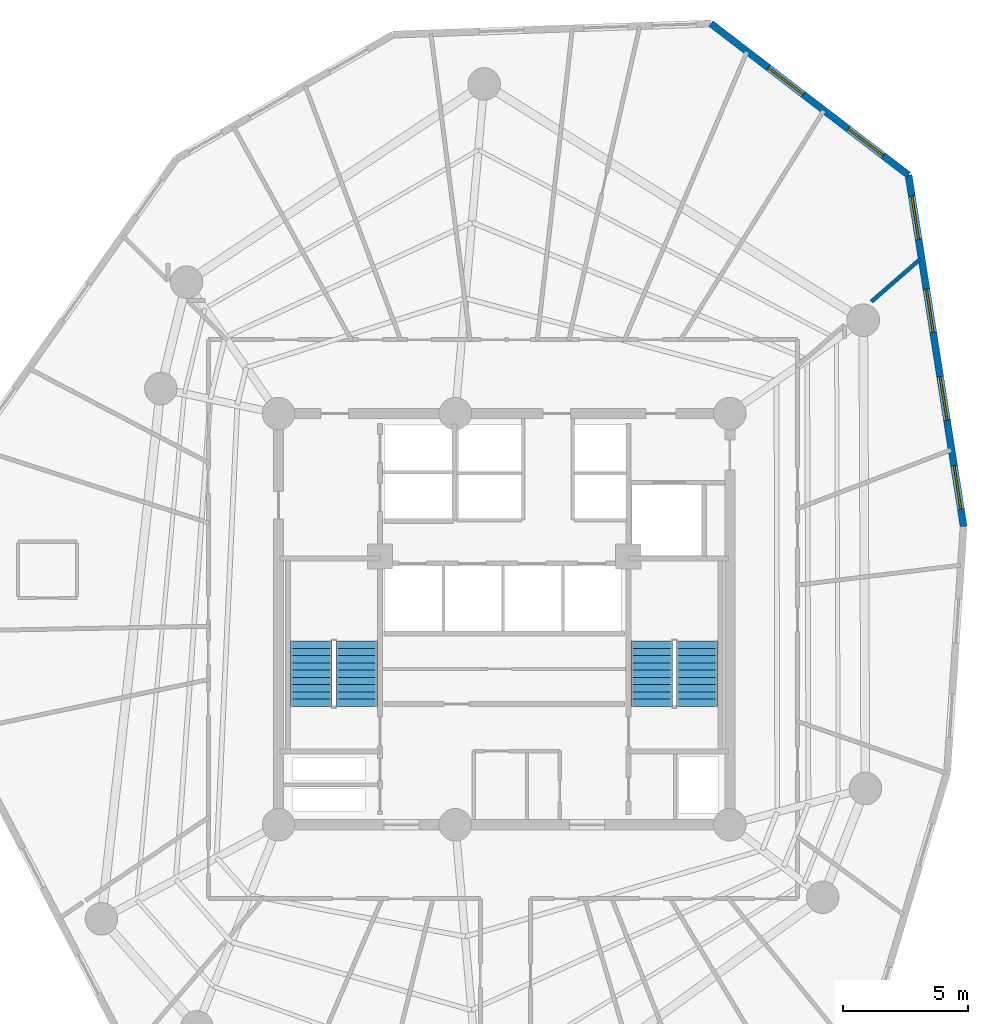
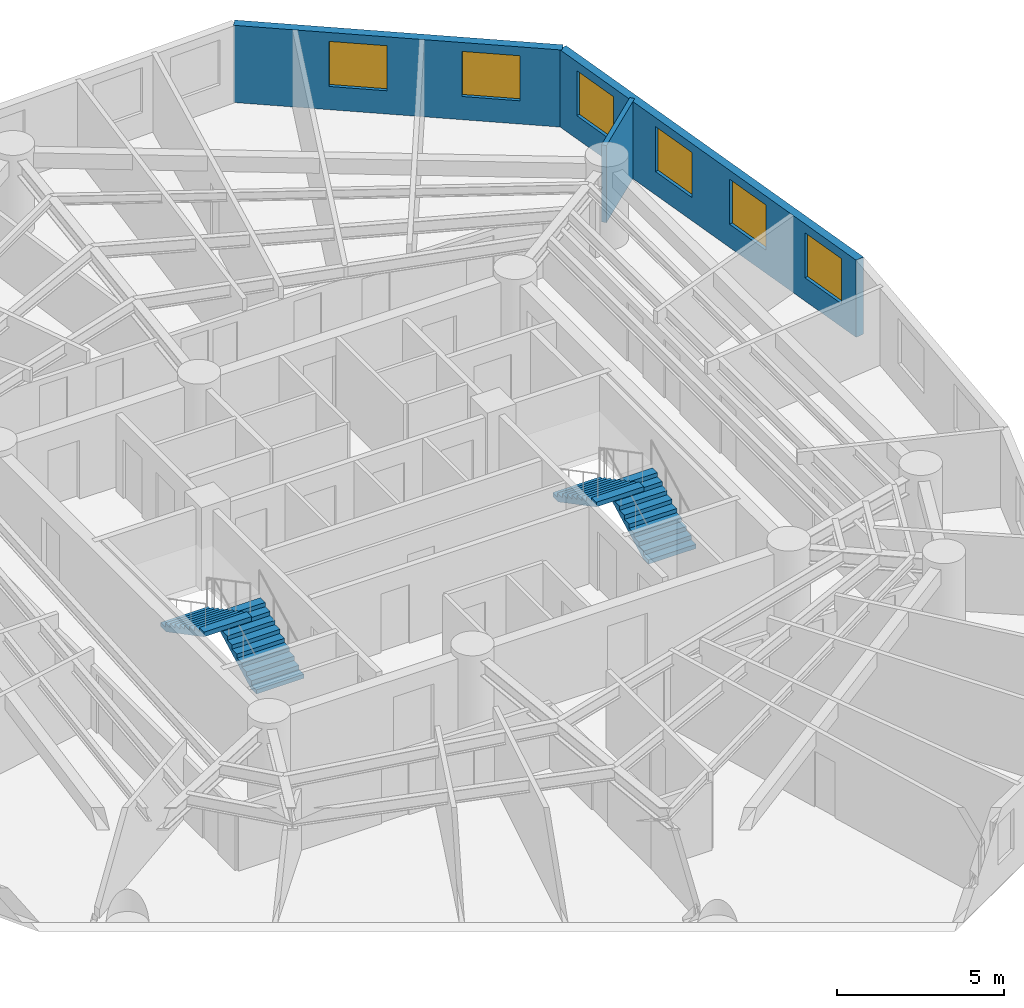
# One storey, part 7 of 8: 6 windows, 4 stair flights, 3 walls, 6 openings, 2 elements without a shape of their own.
"""IFC4 building model written with IfcOpenShell, lengths in metres."""

from ifc_helpers import new_model, si_unit, direction, frame, frame_2d, origin, origin_with_axes, place, context, subcontext, project, spatial, polyline, rectangle, outline, extrude, source, transform, mapped, material, layer, layer_set, type_object, element, fill, aggregate, save


model = new_model("IFC4")

# Units and contexts
model_context = context("Model", 3, precision=1e-05, world=origin(), true_north=direction((0.0, 1.0)))
body_context = subcontext(model_context, "Body", "Model", "MODEL_VIEW")
ifc_project = project(units=[si_unit("LENGTHUNIT", "METRE"), si_unit("AREAUNIT", "SQUARE_METRE"), si_unit("VOLUMEUNIT", "CUBIC_METRE"), si_unit("PLANEANGLEUNIT", "RADIAN"), si_unit("MASSUNIT", "GRAM", prefix="KILO")], contexts=[model_context])

# Site, building, storey
site_placement = place(None, origin())
site = spatial("IfcSite", under=ifc_project, at=site_placement, CompositionType="ELEMENT")
building_placement = place(site_placement, origin())
building = spatial("IfcBuilding", under=site, at=building_placement, Name="Karkom Vertical University and Central Library", CompositionType="ELEMENT")
storey_placement = place(building_placement, frame((0.0, 0.0, 177.89990234375)))
storey = spatial("IfcBuildingStorey", under=building, at=storey_placement, Name="L51", CompositionType="ELEMENT", Elevation=177.89990234375)

# Wall, openings, windows
ifc_material_1 = material(Name="Brick-faced precast concrete C45/55", Category="masonry")
ifc_layer_1 = layer(ifc_material_1, 0.280029296875)
ifc_layer_set_1 = layer_set([ifc_layer_1], Name="Brick-faced precast concrete C45/55")
wall_type_1 = type_object("IfcWallType", Name="ENV-WL-BRK-280", PredefinedType="SOLIDWALL", material=ifc_layer_set_1)
wall_1_placement = place(storey_placement, frame((46.828125, 30.196533203125, 0.0), z_axis=(0.0, 0.0, 1.0), x_axis=(-0.15484560134, 0.987938682179, 0.0)))
wall_1 = element("IfcWall", 1, at=wall_1_placement, inside=storey, type_object=wall_type_1, Name="Level 51 Brick-Faced Precast Facade Wall 08", PredefinedType="SOLIDWALL", context=body_context, shape_type="SweptSolid", body=[
    extrude(rectangle(XDim=14.1884765625, YDim=0.280029296875, at=frame_2d((7.09423828125, 0.0))), origin(), (0.0, 0.0, 1.0), 2.8251953125),
])
opening_1_placement = place(wall_1_placement, frame((0.69873046875, 0.0, 0.85009765625)))
opening_1 = element("IfcOpeningElement", 2, at=opening_1_placement, cuts=wall_1, Name="Opening WN-08", PredefinedType="OPENING", context=body_context, shape_type="SweptSolid", body=[
    extrude(rectangle(XDim=1.75, YDim=1.64990234375, at=frame_2d((0.875, 0.824951171875))), frame((0.0, 0.14990234375, 0.0), z_axis=(0.0, -1.0, 0.0), x_axis=(1.0, 0.0, 0.0)), (0.0, 0.0, 1.0), 0.300048828125),
])
opening_2_placement = place(wall_1_placement, frame((4.301025390625, 0.0, 0.85009765625)))
opening_2 = element("IfcOpeningElement", 3, at=opening_2_placement, cuts=wall_1, Name="Opening WN-08", PredefinedType="OPENING", context=body_context, shape_type="SweptSolid", body=[
    extrude(rectangle(XDim=1.75, YDim=1.64990234375, at=frame_2d((0.875, 0.824951171875))), frame((0.0, 0.14990234375, 0.0), z_axis=(0.0, -1.0, 0.0), x_axis=(1.0, 0.0, 0.0)), (0.0, 0.0, 1.0), 0.300048828125),
])
opening_3_placement = place(wall_1_placement, frame((7.83837890625, 0.0, 0.85009765625)))
opening_3 = element("IfcOpeningElement", 4, at=opening_3_placement, cuts=wall_1, Name="Opening WN-08", PredefinedType="OPENING", context=body_context, shape_type="SweptSolid", body=[
    extrude(rectangle(XDim=1.75, YDim=1.64990234375, at=frame_2d((0.875, 0.824951171875))), frame((0.0, 0.14990234375, 0.0), z_axis=(0.0, -1.0, 0.0), x_axis=(1.0, 0.0, 0.0)), (0.0, 0.0, 1.0), 0.300048828125),
])
opening_4_placement = place(wall_1_placement, frame((11.59033203125, 0.0, 0.85009765625)))
opening_4 = element("IfcOpeningElement", 5, at=opening_4_placement, cuts=wall_1, Name="Opening WN-08", PredefinedType="OPENING", context=body_context, shape_type="SweptSolid", body=[
    extrude(rectangle(XDim=1.75, YDim=1.64990234375, at=frame_2d((0.875, 0.824951171875))), frame((0.0, 0.14990234375, 0.0), z_axis=(0.0, -1.0, 0.0), x_axis=(1.0, 0.0, 0.0)), (0.0, 0.0, 1.0), 0.300048828125),
])
ifc_material_2 = material(Name="Aluminium thermal-break frame with solar-control IGU", Category="aluminium")
window_type = type_object("IfcWindowType", Name="ENV-WIN-WN-08", PartitioningType="SINGLE_PANEL", PredefinedType="WINDOW", material=ifc_material_2)
shared_shape = source(origin_with_axes(), body_context, "Body", "SweptSolid", [
    extrude(rectangle(XDim=1.75, YDim=1.64990234375, at=frame_2d((0.875, 0.824951171875))), frame((0.0, 0.030029296875, 0.0), z_axis=(0.0, -1.0, 0.0), x_axis=(1.0, 0.0, 0.0)), (0.0, 0.0, 1.0), 0.06005859375),
])
window_1_placement = place(opening_1_placement, origin())
window_1 = element("IfcWindow", 6, at=window_1_placement, inside=storey, type_object=window_type, Name="Level 51 Punched Window 8.1", OverallHeight=1.64990234375, OverallWidth=1.75, PartitioningType="SINGLE_PANEL", PredefinedType="WINDOW", context=body_context, shape_type="MappedRepresentation", body=[
    mapped(shared_shape, transform((0.0, 0.0, 0.0), scale=1.0)),
])
fill(opening_1, window_1)
window_2_placement = place(opening_2_placement, origin())
window_2 = element("IfcWindow", 7, at=window_2_placement, inside=storey, type_object=window_type, Name="Level 51 Punched Window 8.2", OverallHeight=1.64990234375, OverallWidth=1.75, PartitioningType="SINGLE_PANEL", PredefinedType="WINDOW", context=body_context, shape_type="MappedRepresentation", body=[
    mapped(shared_shape, transform((0.0, 0.0, 0.0), scale=1.0)),
])
fill(opening_2, window_2)
window_3_placement = place(opening_3_placement, origin())
window_3 = element("IfcWindow", 8, at=window_3_placement, inside=storey, type_object=window_type, Name="Level 51 Punched Window 8.3", OverallHeight=1.64990234375, OverallWidth=1.75, PartitioningType="SINGLE_PANEL", PredefinedType="WINDOW", context=body_context, shape_type="MappedRepresentation", body=[
    mapped(shared_shape, transform((0.0, 0.0, 0.0), scale=1.0)),
])
fill(opening_3, window_3)
window_4_placement = place(opening_4_placement, origin())
window_4 = element("IfcWindow", 9, at=window_4_placement, inside=storey, type_object=window_type, Name="Level 51 Punched Window 8.4", OverallHeight=1.64990234375, OverallWidth=1.75, PartitioningType="SINGLE_PANEL", PredefinedType="WINDOW", context=body_context, shape_type="MappedRepresentation", body=[
    mapped(shared_shape, transform((0.0, 0.0, 0.0), scale=1.0)),
])
fill(opening_4, window_4)

wall_2_placement = place(storey_placement, frame((44.631103515625, 44.2138671875, 0.0), z_axis=(0.0, 0.0, 1.0), x_axis=(-0.793518173327, 0.608546554176, 0.0)))
wall_2 = element("IfcWall", 10, at=wall_2_placement, inside=storey, type_object=wall_type_1, Name="Level 51 Brick-Faced Precast Facade Wall 09", PredefinedType="SOLIDWALL", context=body_context, shape_type="SweptSolid", body=[
    extrude(rectangle(XDim=9.9375, YDim=0.280029296875, at=frame_2d((4.96875, 0.0))), origin(), (0.0, 0.0, 1.0), 2.8251953125),
])
opening_5_placement = place(wall_2_placement, frame((1.2783203125, 0.0, 0.85009765625)))
opening_5 = element("IfcOpeningElement", 11, at=opening_5_placement, cuts=wall_2, Name="Opening WN-08", PredefinedType="OPENING", context=body_context, shape_type="SweptSolid", body=[
    extrude(rectangle(XDim=1.75, YDim=1.64990234375, at=frame_2d((0.875, 0.824951171875))), frame((0.0, 0.14990234375, 0.0), z_axis=(0.0, -1.0, 0.0), x_axis=(1.0, 0.0, 0.0)), (0.0, 0.0, 1.0), 0.300048828125),
])
opening_6_placement = place(wall_2_placement, frame((5.29638671875, 0.0, 0.85009765625)))
opening_6 = element("IfcOpeningElement", 12, at=opening_6_placement, cuts=wall_2, Name="Opening WN-08", PredefinedType="OPENING", context=body_context, shape_type="SweptSolid", body=[
    extrude(rectangle(XDim=1.75, YDim=1.64990234375, at=frame_2d((0.875, 0.824951171875))), frame((0.0, 0.14990234375, 0.0), z_axis=(0.0, -1.0, 0.0), x_axis=(1.0, 0.0, 0.0)), (0.0, 0.0, 1.0), 0.300048828125),
])
window_5_placement = place(opening_5_placement, origin())
window_5 = element("IfcWindow", 13, at=window_5_placement, inside=storey, type_object=window_type, Name="Level 51 Punched Window 9.1", OverallHeight=1.64990234375, OverallWidth=1.75, PartitioningType="SINGLE_PANEL", PredefinedType="WINDOW", context=body_context, shape_type="MappedRepresentation", body=[
    mapped(shared_shape, transform((0.0, 0.0, 0.0), scale=1.0)),
])
fill(opening_5, window_5)
window_6_placement = place(opening_6_placement, origin())
window_6 = element("IfcWindow", 14, at=window_6_placement, inside=storey, type_object=window_type, Name="Level 51 Punched Window 9.2", OverallHeight=1.64990234375, OverallWidth=1.75, PartitioningType="SINGLE_PANEL", PredefinedType="WINDOW", context=body_context, shape_type="MappedRepresentation", body=[
    mapped(shared_shape, transform((0.0, 0.0, 0.0), scale=1.0)),
])
fill(opening_6, window_6)

# Wall
ifc_material_3 = material(Name="Insulated metal-stud drywall 160mm", Category="gypsum")
ifc_layer_2 = layer(ifc_material_3, 0.159912109375)
ifc_layer_set_2 = layer_set([ifc_layer_2], Name="Insulated metal-stud drywall 160mm")
wall_type_2 = type_object("IfcWallType", Name="INT-WL-COR-160", PredefinedType="PARTITIONING", material=ifc_layer_set_2)
wall_3_placement = place(storey_placement, frame((43.149169921875, 39.16796875, 0.0), z_axis=(0.0, 0.0, 1.0), x_axis=(0.754335601674, 0.656488994612, 0.0)))
element("IfcWall", 15, at=wall_3_placement, inside=storey, type_object=wall_type_2, Name="Level 51 Interior Partition Wall L51-PW-022", PredefinedType="PARTITIONING", context=body_context, shape_type="SweptSolid", body=[
    extrude(rectangle(XDim=2.60986328125, YDim=0.159912109375, at=frame_2d((1.304931640625, 0.0))), origin(), (0.0, 0.0, 1.0), 2.8251953125),
])

# Stair, stair flights
ifc_material_4 = material(Name="Concrete C45/55", Category="concrete")
stair_type = type_object("IfcStairType", Name="INT-STR-ST-MAIN", PredefinedType="HALF_TURN_STAIR", material=ifc_material_4)
stair_1_placement = place(storey_placement, origin())
stair_1 = element("IfcStair", 16, at=stair_1_placement, inside=storey, type_object=stair_type, Name="Level 51 Tower Protected Exit Stair ST-1", PredefinedType="HALF_TURN_STAIR")
stair_flight_type = type_object("IfcStairFlightType", Name="INT-SFL-ST-MAIN", PredefinedType="STRAIGHT", material=ifc_material_4)
stair_flight_1_placement = place(storey_placement, frame((22.614990234375, 23.02001953125, 0.0), z_axis=(0.0, 0.0, 1.0), x_axis=(0.0, 1.0, 0.0)))
stair_flight_1 = element("IfcStairFlight", 17, at=stair_flight_1_placement, type_object=stair_flight_type, Name="ST-1 flight 1", NumberOfRisers=10, NumberOfTreads=9, PredefinedType="STRAIGHT", RiserHeight=0.1525, TreadLength=0.29, context=body_context, shape_type="SweptSolid", body=[
    extrude(outline(polyline([(0.0, 0.0), (0.0, 0.152587890625), (0.2900390625, 0.152587890625), (0.2900390625, 0.304931640625), (0.580078125, 0.304931640625), (0.580078125, 0.45751953125), (0.8701171875, 0.45751953125), (0.8701171875, 0.610107421875), (1.159912109375, 0.610107421875), (1.159912109375, 0.762451171875), (1.449951171875, 0.762451171875), (1.449951171875, 0.9150390625), (1.739990234375, 0.9150390625), (1.739990234375, 1.0673828125), (2.030029296875, 1.0673828125), (2.030029296875, 1.219970703125), (2.320068359375, 1.219970703125), (2.320068359375, 1.37255859375), (2.610107421875, 1.37255859375), (2.610107421875, 1.52490234375), (2.610107421875, 1.203125), (0.322021484375, 0.0), (0.0, 0.0)])), frame((0.0, 0.824951171875, 0.0), z_axis=(0.0, -1.0, 0.0), x_axis=(1.0, 0.0, 0.0)), (0.0, 0.0, 1.0), 1.64990234375),
])
stair_flight_2_placement = place(storey_placement, frame((20.804931640625, 25.6298828125, 1.525146484375), z_axis=(0.0, 0.0, 1.0), x_axis=(0.0, -1.0, 0.0)))
stair_flight_2 = element("IfcStairFlight", 18, at=stair_flight_2_placement, type_object=stair_flight_type, Name="ST-1 flight 2", NumberOfRisers=10, NumberOfTreads=9, PredefinedType="STRAIGHT", RiserHeight=0.1525, TreadLength=0.29, context=body_context, shape_type="SweptSolid", body=[
    extrude(outline(polyline([(0.0, 0.0), (0.0, 0.152587890625), (0.2900390625, 0.152587890625), (0.2900390625, 0.304931640625), (0.580078125, 0.304931640625), (0.580078125, 0.45751953125), (0.8701171875, 0.45751953125), (0.8701171875, 0.610107421875), (1.159912109375, 0.610107421875), (1.159912109375, 0.762451171875), (1.449951171875, 0.762451171875), (1.449951171875, 0.9150390625), (1.739990234375, 0.9150390625), (1.739990234375, 1.0673828125), (2.030029296875, 1.0673828125), (2.030029296875, 1.219970703125), (2.320068359375, 1.219970703125), (2.320068359375, 1.37255859375), (2.610107421875, 1.37255859375), (2.610107421875, 1.52490234375), (2.610107421875, 1.203125), (0.322021484375, 0.0), (0.0, 0.0)])), frame((0.0, 0.824951171875, 0.0), z_axis=(0.0, -1.0, 0.0), x_axis=(1.0, 0.0, 0.0)), (0.0, 0.0, 1.0), 1.64990234375),
])
aggregate(stair_1, [stair_flight_1, stair_flight_2])

stair_2_placement = place(storey_placement, origin())
stair_2 = element("IfcStair", 19, at=stair_2_placement, inside=storey, type_object=stair_type, Name="Level 51 Tower Protected Exit Stair ST-2", PredefinedType="HALF_TURN_STAIR")
stair_flight_3_placement = place(storey_placement, frame((36.195068359375, 23.02001953125, 0.0), z_axis=(0.0, 0.0, 1.0), x_axis=(0.0, 1.0, 0.0)))
stair_flight_3 = element("IfcStairFlight", 20, at=stair_flight_3_placement, type_object=stair_flight_type, Name="ST-2 flight 1", NumberOfRisers=10, NumberOfTreads=9, PredefinedType="STRAIGHT", RiserHeight=0.1525, TreadLength=0.29, context=body_context, shape_type="SweptSolid", body=[
    extrude(outline(polyline([(0.0, 0.0), (0.0, 0.152587890625), (0.2900390625, 0.152587890625), (0.2900390625, 0.304931640625), (0.580078125, 0.304931640625), (0.580078125, 0.45751953125), (0.8701171875, 0.45751953125), (0.8701171875, 0.610107421875), (1.159912109375, 0.610107421875), (1.159912109375, 0.762451171875), (1.449951171875, 0.762451171875), (1.449951171875, 0.9150390625), (1.739990234375, 0.9150390625), (1.739990234375, 1.0673828125), (2.030029296875, 1.0673828125), (2.030029296875, 1.219970703125), (2.320068359375, 1.219970703125), (2.320068359375, 1.37255859375), (2.610107421875, 1.37255859375), (2.610107421875, 1.52490234375), (2.610107421875, 1.203125), (0.322021484375, 0.0), (0.0, 0.0)])), frame((0.0, 0.824951171875, 0.0), z_axis=(0.0, -1.0, 0.0), x_axis=(1.0, 0.0, 0.0)), (0.0, 0.0, 1.0), 1.64990234375),
])
stair_flight_4_placement = place(storey_placement, frame((34.385009765625, 25.6298828125, 1.525146484375), z_axis=(0.0, 0.0, 1.0), x_axis=(0.0, -1.0, 0.0)))
stair_flight_4 = element("IfcStairFlight", 21, at=stair_flight_4_placement, type_object=stair_flight_type, Name="ST-2 flight 2", NumberOfRisers=10, NumberOfTreads=9, PredefinedType="STRAIGHT", RiserHeight=0.1525, TreadLength=0.29, context=body_context, shape_type="SweptSolid", body=[
    extrude(outline(polyline([(0.0, 0.0), (0.0, 0.152587890625), (0.2900390625, 0.152587890625), (0.2900390625, 0.304931640625), (0.580078125, 0.304931640625), (0.580078125, 0.45751953125), (0.8701171875, 0.45751953125), (0.8701171875, 0.610107421875), (1.159912109375, 0.610107421875), (1.159912109375, 0.762451171875), (1.449951171875, 0.762451171875), (1.449951171875, 0.9150390625), (1.739990234375, 0.9150390625), (1.739990234375, 1.0673828125), (2.030029296875, 1.0673828125), (2.030029296875, 1.219970703125), (2.320068359375, 1.219970703125), (2.320068359375, 1.37255859375), (2.610107421875, 1.37255859375), (2.610107421875, 1.52490234375), (2.610107421875, 1.203125), (0.322021484375, 0.0), (0.0, 0.0)])), frame((0.0, 0.824951171875, 0.0), z_axis=(0.0, -1.0, 0.0), x_axis=(1.0, 0.0, 0.0)), (0.0, 0.0, 1.0), 1.64990234375),
])
aggregate(stair_2, [stair_flight_3, stair_flight_4])

save(model, "model.ifc")
